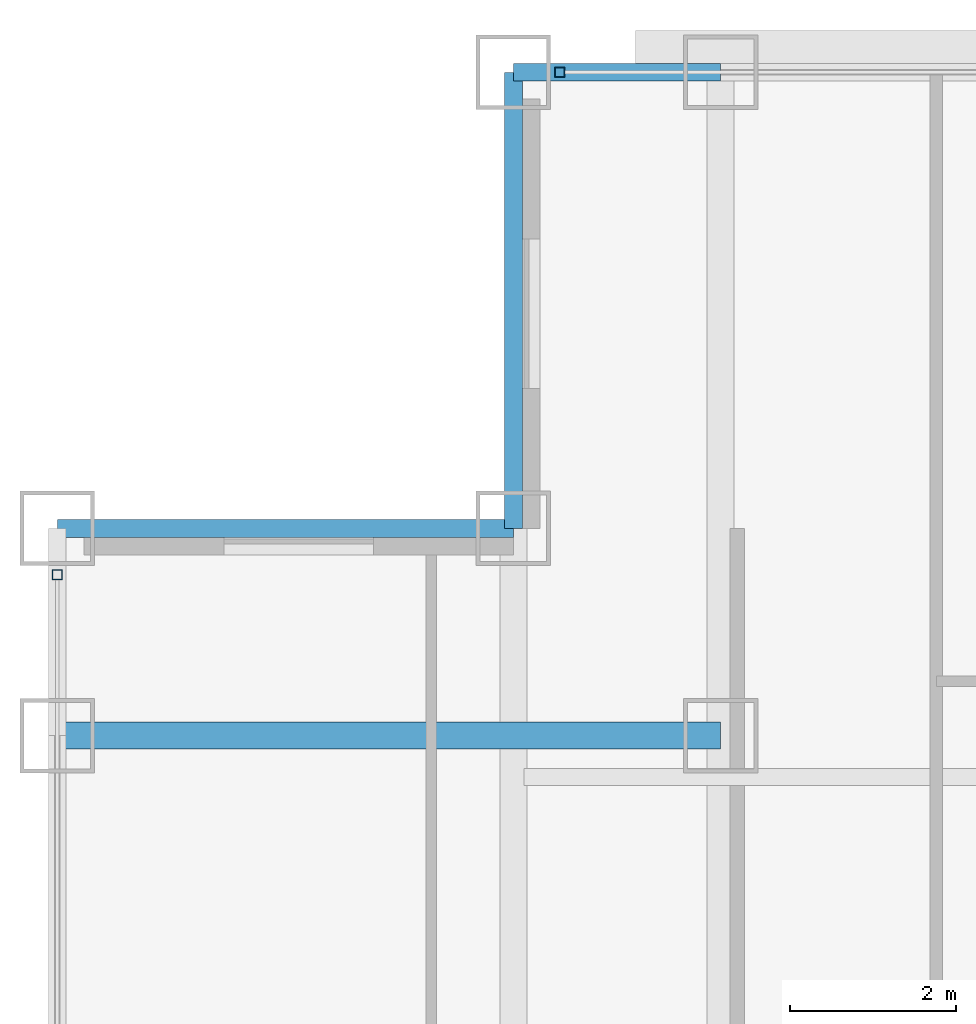
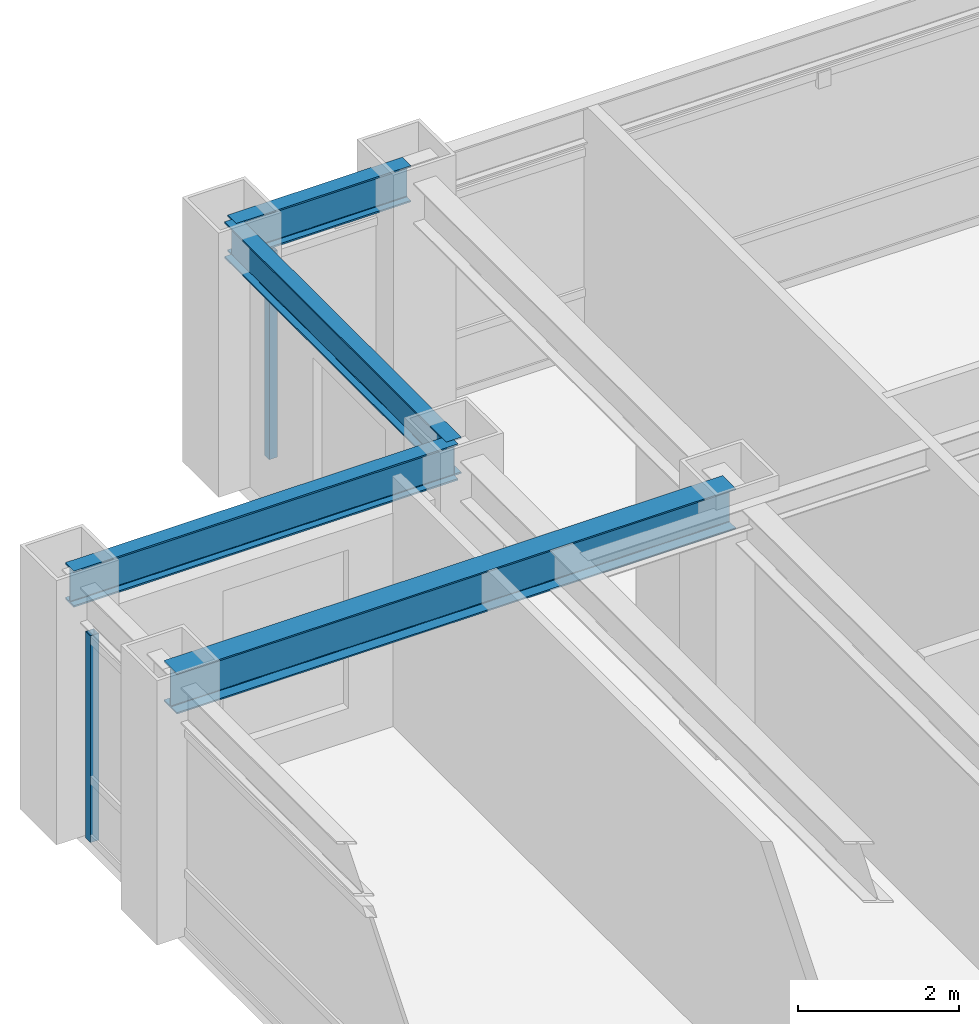
# One storey, part 12 of 27: 4 beams, 2 members, 2 elements without a shape of their own.
"""IFC4 building model written with IfcOpenShell, lengths in metres."""

import ifcopenshell
import ifcopenshell.guid

model = None  # the IFC model being written
_history = None  # IfcOwnerHistory: only IFC2X3 demands one
_inside = {}  # id of a spatial element -> (the spatial element, [elements in it])
_under = {}  # id of a project, library or spatial element -> (it, [spatial elements below it])
_declared = {}  # id of a project -> (the project, [libraries it declares])
_typed = {}  # id of a type object -> (the type object, [elements of that type])
_made_of = {}  # id of a material, layer set ... -> (it, [elements and type objects made of it])


def new_model(schema):
    """Start an empty IFC model of exactly this schema.

    Asked for "IFC4X3", IfcOpenShell would pick the latest addendum, in which some entities
    have other attributes; the version numbers below select the first issue.
    IFC2X3 requires an IfcOwnerHistory on every rooted entity: one is made here for all.
    """
    global model, _history
    if schema == "IFC4X3":
        model = ifcopenshell.file(schema_version=(4, 3, 0, 0))
    else:
        model = ifcopenshell.file(schema=schema)
    _inside.clear()
    _under.clear()
    _declared.clear()
    _typed.clear()
    _made_of.clear()
    _history = None
    if model.schema == "IFC2X3":
        org = make("IfcOrganization", Name="unknown")
        user = make(
            "IfcPersonAndOrganization",
            ThePerson=make("IfcPerson", FamilyName="unknown"),
            TheOrganization=org,
        )
        app = make(
            "IfcApplication",
            ApplicationDeveloper=org,
            Version="unknown",
            ApplicationFullName="unknown",
            ApplicationIdentifier="unknown",
        )
        _history = make(
            "IfcOwnerHistory",
            OwningUser=user,
            OwningApplication=app,
            ChangeAction="ADDED",
            CreationDate=0,
        )
    return model


def make(cls, **values):
    """One entity of the class cls with the attributes given. An attribute that is None is left unset."""
    return model.create_entity(
        cls, **{name: value for name, value in values.items() if value is not None}
    )


def rooted(cls, **values):
    """An entity with a GlobalId (a new one), such as an element, a storey or a relation."""
    return make(cls, GlobalId=ifcopenshell.guid.new(), OwnerHistory=_history, **values)


def si_unit(unit_type, name, prefix=None):
    """IfcSIUnit, for example si_unit("LENGTHUNIT", "METRE", prefix="MILLI")."""
    return make("IfcSIUnit", UnitType=unit_type, Prefix=prefix, Name=name)


def assignment(units):
    """IfcUnitAssignment: the units of a project."""
    return None if units is None else make("IfcUnitAssignment", Units=units)


def point(xyz):
    """IfcCartesianPoint."""
    return None if xyz is None else make("IfcCartesianPoint", Coordinates=xyz)


def direction(xyz):
    """IfcDirection."""
    return None if xyz is None else make("IfcDirection", DirectionRatios=xyz)


def frame(location, z_axis=None, x_axis=None):
    """IfcAxis2Placement3D, a coordinate frame: its origin and axes. An axis left out is left unset."""
    return make(
        "IfcAxis2Placement3D",
        Location=point(location),
        Axis=direction(z_axis),
        RefDirection=direction(x_axis),
    )


def frame_2d(location, x_axis=None):
    """IfcAxis2Placement2D, a coordinate frame in the plane: its origin and x axis."""
    return make(
        "IfcAxis2Placement2D", Location=point(location), RefDirection=direction(x_axis)
    )


def origin():
    """The frame at (0, 0, 0) with its axes left unset."""
    return frame((0.0, 0.0, 0.0))


def origin_2d():
    """The frame at (0, 0) in the plane with its x axis left unset."""
    return frame_2d((0.0, 0.0))


def place(relative_to, where):
    """IfcLocalPlacement: puts the frame where relative to a parent placement (None: the world)."""
    return make(
        "IfcLocalPlacement", PlacementRelTo=relative_to, RelativePlacement=where
    )


def context(
    kind, dimensions, precision=None, world=None, true_north=None, identifier=None
):
    """IfcGeometricRepresentationContext, for example the 3D "Model" context."""
    return make(
        "IfcGeometricRepresentationContext",
        ContextIdentifier=identifier,
        ContextType=kind,
        CoordinateSpaceDimension=dimensions,
        Precision=precision,
        WorldCoordinateSystem=world,
        TrueNorth=true_north,
    )


def subcontext(parent, identifier, kind, view, scale=None):
    """IfcGeometricRepresentationSubContext, for example "Body" below "Model"."""
    return make(
        "IfcGeometricRepresentationSubContext",
        ContextIdentifier=identifier,
        ContextType=kind,
        ParentContext=parent,
        TargetScale=scale,
        TargetView=view,
    )


def project(units=None, contexts=None):
    """IfcProject with its units and contexts."""
    return rooted(
        "IfcProject",
        Name="project",
        RepresentationContexts=contexts,
        UnitsInContext=assignment(units),
    )


def spatial(cls, under=None, at=None, **own):
    """A site, building, storey or space (cls), placed at a placement, below another one or the project."""
    s = rooted(cls, ObjectPlacement=at, **own)
    if under is not None:
        _under.setdefault(under.id(), (under, []))[1].append(s)
    return s


def profile(cls, at=None, kind="AREA", **sizes):
    """A parametric profile (cls). Its sizes go by their IFC names, for example OverallWidth=200.0."""
    return make(cls, ProfileType=kind, Position=at, **sizes)


def hollow_rectangle(**sizes):
    """IfcRectangleHollowProfileDef."""
    return profile("IfcRectangleHollowProfileDef", **sizes)


def i_section(**sizes):
    """IfcIShapeProfileDef."""
    return profile("IfcIShapeProfileDef", **sizes)


def extrude(swept, where, along, depth):
    """IfcExtrudedAreaSolid: the profile swept, set in the frame where, extruded along a direction by depth."""
    return make(
        "IfcExtrudedAreaSolid",
        SweptArea=swept,
        Position=where,
        ExtrudedDirection=direction(along),
        Depth=depth,
    )


def shape(context_of_items, identifier, shape_type, items):
    """IfcShapeRepresentation: the items that make up one representation, for example the "Body"."""
    return make(
        "IfcShapeRepresentation",
        ContextOfItems=context_of_items,
        RepresentationIdentifier=identifier,
        RepresentationType=shape_type,
        Items=items,
    )


def source(mapping_origin, context_of_items, identifier, shape_type, items):
    """IfcRepresentationMap: a shape defined once, which mapped items show again and again."""
    return make(
        "IfcRepresentationMap",
        MappingOrigin=mapping_origin,
        MappedRepresentation=shape(context_of_items, identifier, shape_type, items),
    )


def transform(
    local_origin,
    x_axis=None,
    y_axis=None,
    z_axis=None,
    scale=None,
    scale2=None,
    scale3=None,
    uniform=True,
):
    """IfcCartesianTransformationOperator3D, or its non-uniform kind. x_axis, y_axis, z_axis: its Axis1, 2, 3."""
    if uniform:
        return make(
            "IfcCartesianTransformationOperator3D",
            Axis1=direction(x_axis),
            Axis2=direction(y_axis),
            LocalOrigin=point(local_origin),
            Scale=scale,
            Axis3=direction(z_axis),
        )
    return make(
        "IfcCartesianTransformationOperator3DnonUniform",
        Axis1=direction(x_axis),
        Axis2=direction(y_axis),
        LocalOrigin=point(local_origin),
        Scale=scale,
        Axis3=direction(z_axis),
        Scale2=scale2,
        Scale3=scale3,
    )


def mapped(mapping_source, mapping_target):
    """IfcMappedItem: shows the shape of a source again, moved by a transform."""
    return make(
        "IfcMappedItem", MappingSource=mapping_source, MappingTarget=mapping_target
    )


def material(Name=None, Category=None):
    """IfcMaterial."""
    return make("IfcMaterial", Name=Name, Category=Category)


def material_profile(
    of_material, cross_section, Name=None, Category=None, Priority=None
):
    """IfcMaterialProfile: a cross section and its material."""
    return make(
        "IfcMaterialProfile",
        Name=Name,
        Material=of_material,
        Profile=cross_section,
        Priority=Priority,
        Category=Category,
    )


def profile_set(profiles, Name=None, composite=None):
    """IfcMaterialProfileSet."""
    return make(
        "IfcMaterialProfileSet",
        Name=Name,
        MaterialProfiles=profiles,
        CompositeProfile=composite,
    )


def made_of(thing, what):
    """Note that an element or type object is made of a material, layer set ...; save() writes the relation."""
    if what is not None:
        _made_of.setdefault(what.id(), (what, []))[1].append(thing)
    return thing


def type_object(cls, material=None, **own):
    """A type object (cls), such as IfcWallType, which elements share."""
    return made_of(rooted(cls, **own), material)


def element(
    cls,
    number,
    at=None,
    inside=None,
    cuts=None,
    type_object=None,
    material=None,
    context=None,
    identifier="Body",
    shape_type=None,
    held_by="IfcProductDefinitionShape",
    body=None,
    shapes=None,
    **own,
):
    """One element of the class cls, such as IfcWall. Its Tag is "e" and its number.

    at: its placement. inside: the storey or other place that contains it. cuts: it is an
    opening in that element (IfcRelVoidsElement). A single representation is given by context,
    identifier, shape_type and body (its items); several are given by shapes. held_by: the class
    of the entity that holds the representations. save() writes the other relations.
    """
    e = rooted(cls, Tag="e%d" % number, ObjectPlacement=at, **own)
    if body is not None:
        shapes = [shape(context, identifier, shape_type, body)]
    if shapes is not None:
        e.Representation = make(held_by, Representations=shapes)
    if inside is not None:
        _inside.setdefault(inside.id(), (inside, []))[1].append(e)
    if cuts is not None:
        rooted(
            "IfcRelVoidsElement", RelatingBuildingElement=cuts, RelatedOpeningElement=e
        )
    if type_object is not None:
        _typed.setdefault(type_object.id(), (type_object, []))[1].append(e)
    return made_of(e, material)


def aggregate(whole, parts):
    """IfcRelAggregates: a whole, such as a stair, and the parts it consists of."""
    return rooted("IfcRelAggregates", RelatingObject=whole, RelatedObjects=parts)


def save(model, path):
    """Write the relations noted so far, then the file.

    IfcRelAggregates (storeys below a building ...), IfcRelContainedInSpatialStructure (elements
    in a storey), IfcRelDefinesByType, IfcRelAssociatesMaterial and IfcRelDeclares: one each for
    every whole, place, type object, material and project.
    """
    for whole, parts in _under.values():
        aggregate(whole, parts)
    for where, things in _inside.values():
        rooted(
            "IfcRelContainedInSpatialStructure",
            RelatedElements=things,
            RelatingStructure=where,
        )
    for kind, things in _typed.values():
        rooted("IfcRelDefinesByType", RelatedObjects=things, RelatingType=kind)
    for what, things in _made_of.values():
        rooted("IfcRelAssociatesMaterial", RelatedObjects=things, RelatingMaterial=what)
    for by, libraries in _declared.values():
        rooted("IfcRelDeclares", RelatingContext=by, RelatedDefinitions=libraries)
    model.write(path)


model = new_model("IFC4")

# Units and contexts
model_context = context("Model", 3, precision=1e-05, world=origin(), true_north=direction((0.0, 1.0)))
body_context = subcontext(model_context, "Body", "Model", "MODEL_VIEW")
ifc_project = project(units=[si_unit("LENGTHUNIT", "METRE"), si_unit("AREAUNIT", "SQUARE_METRE"), si_unit("VOLUMEUNIT", "CUBIC_METRE"), si_unit("PLANEANGLEUNIT", "RADIAN"), si_unit("MASSUNIT", "GRAM", prefix="KILO")], contexts=[model_context])

# Site, building, storey
site_placement = place(None, origin())
site = spatial("IfcSite", under=ifc_project, at=site_placement, CompositionType="ELEMENT")
building_placement = place(site_placement, origin())
building = spatial("IfcBuilding", under=site, at=building_placement, Name="Khorayat Bourse Tower", CompositionType="ELEMENT")
storey_placement = place(building_placement, frame((0.0, 0.0, 285.5)))
storey = spatial("IfcBuildingStorey", under=building, at=storey_placement, Name="L67", CompositionType="ELEMENT", Elevation=285.5)

# Beams
ifc_material_1 = material(Name="Steel ASTM A992 Grade 50", Category="steel")
ifc_material_profile_1 = material_profile(ifc_material_1, i_section(OverallWidth=0.324951171875, OverallDepth=0.615966796875, WebThickness=0.013916015625, FlangeThickness=0.021484375, FilletRadius=0.01611328125, at=origin_2d()), Name="W610X174")
ifc_profile_set_1 = profile_set([ifc_material_profile_1], Name="Steel ASTM A992 Grade 50")
beam_type_1 = type_object("IfcBeamType", Name="BM-GIRD-610", PredefinedType="BEAM", material=ifc_profile_set_1)
shared_shape_1 = source(origin(), body_context, "Body", "SweptSolid", [
    extrude(i_section(OverallWidth=0.324951171875, OverallDepth=0.615966796875, WebThickness=0.013916015625, FlangeThickness=0.021484375, FilletRadius=0.01611328125, at=origin_2d()), origin(), (0.0, 0.0, 1.0), 8.0),
])
beam_1_placement = place(storey_placement, frame((-28.0, 20.0, 3.471923828125), z_axis=(1.0, 0.0, 0.0), x_axis=(0.0, 1.0, 0.0)))
element("IfcBeam", 1, at=beam_1_placement, inside=storey, type_object=beam_type_1, Name="L67 BM-GIRD-610 BM-L67-CNRX-095", PredefinedType="BEAM", context=body_context, shape_type="MappedRepresentation", body=[
    mapped(shared_shape_1, transform((0.0, 0.0, 0.0), scale=1.0)),
])
ifc_material_profile_2 = material_profile(ifc_material_1, i_section(OverallWidth=0.214111328125, OverallDepth=0.549072265625, WebThickness=0.0146484375, FlangeThickness=0.023681640625, FilletRadius=0.013916015625, at=origin_2d()), Name="W530X138")
ifc_profile_set_2 = profile_set([ifc_material_profile_2], Name="Steel ASTM A992 Grade 50")
beam_type_2 = type_object("IfcBeamType", Name="BM-SPAN-530", PredefinedType="SPANDREL", material=ifc_profile_set_2)
shared_shape_2 = source(origin(), body_context, "Body", "SweptSolid", [
    extrude(i_section(OverallWidth=0.214111328125, OverallDepth=0.549072265625, WebThickness=0.0146484375, FlangeThickness=0.023681640625, FilletRadius=0.013916015625, at=origin_2d()), origin(), (0.0, 0.0, 1.0), 2.5),
])
beam_2_placement = place(storey_placement, frame((-22.5, 28.0, 3.505615234375), z_axis=(1.0, 0.0, 0.0), x_axis=(0.0, 1.0, 0.0)))
element("IfcBeam", 2, at=beam_2_placement, inside=storey, type_object=beam_type_2, Name="L67 BM-SPAN-530 BM-L67-SPN-051", PredefinedType="SPANDREL", context=body_context, shape_type="MappedRepresentation", body=[
    mapped(shared_shape_2, transform((0.0, 0.0, 0.0), scale=1.0)),
])
shared_shape_3 = source(origin(), body_context, "Body", "SweptSolid", [
    extrude(i_section(OverallWidth=0.214111328125, OverallDepth=0.549072265625, WebThickness=0.0146484375, FlangeThickness=0.023681640625, FilletRadius=0.013916015625, at=origin_2d()), origin(), (0.0, 0.0, 1.0), 5.5),
])
for number, where, z_axis, x_axis, name in (
    (3, (-22.5, 22.5, 3.505615234375), (0.0, 1.0, 0.0), (-1.0, 0.0, 0.0), "L67 BM-SPAN-530 BM-L67-SPN-052"),
    (4, (-28.0, 22.5, 3.505615234375), (1.0, 0.0, 0.0), (0.0, 1.0, 0.0), "L67 BM-SPAN-530 BM-L67-SPN-053"),
):
    element("IfcBeam", number, at=place(storey_placement, frame(where, z_axis=z_axis, x_axis=x_axis)), inside=storey, type_object=beam_type_2, Name=name, PredefinedType="SPANDREL", context=body_context, shape_type="MappedRepresentation", body=[
        mapped(shared_shape_3, transform((0.0, 0.0, 0.0), scale=1.0)),
    ])

# Curtain wall, member
ifc_material_2 = material(Name="Aluminium EN AW-6063 T6", Category="aluminium")
curtain_wall_type = type_object("IfcCurtainWallType", Name="CW-SYS-04", PredefinedType="NOTDEFINED", material=ifc_material_2)
curtain_wall_1_placement = place(storey_placement, origin())
curtain_wall_1 = element("IfcCurtainWall", 5, at=curtain_wall_1_placement, inside=storey, type_object=curtain_wall_type, Name="L67 Curtain Wall CW-L67-N1", PredefinedType="NOTDEFINED")
ifc_material_profile_3 = material_profile(ifc_material_2, hollow_rectangle(XDim=0.1201171875, YDim=0.1201171875, WallThickness=0.0048828125, at=origin_2d()), Name="ALU 120x120x5")
ifc_profile_set_3 = profile_set([ifc_material_profile_3], Name="Aluminium EN AW-6063 T6")
member_type = type_object("IfcMemberType", Name="CWM-VERT-120", PredefinedType="MULLION", material=ifc_profile_set_3)
shared_shape_4 = source(origin(), body_context, "Body", "SweptSolid", [
    extrude(hollow_rectangle(XDim=0.1201171875, YDim=0.1201171875, WallThickness=0.0048828125, at=origin_2d()), origin(), (0.0, 0.0, 1.0), 3.1298828125),
])
member_1_placement = place(storey_placement, frame((-21.93994140625, 28.0, 0.0), z_axis=(0.0, 0.0, 1.0), x_axis=(0.0, 1.0, 0.0)))
member_1 = element("IfcMember", 6, at=member_1_placement, type_object=member_type, Name="CW-L67-N1 Vertical Mullion 1", PredefinedType="MULLION", context=body_context, shape_type="MappedRepresentation", body=[
    mapped(shared_shape_4, transform((0.0, 0.0, 0.0), scale=1.0)),
])
aggregate(curtain_wall_1, [member_1])

curtain_wall_2_placement = place(storey_placement, origin())
curtain_wall_2 = element("IfcCurtainWall", 7, at=curtain_wall_2_placement, inside=storey, type_object=curtain_wall_type, Name="L67 Curtain Wall CW-L67-W1", PredefinedType="NOTDEFINED")
member_2_placement = place(storey_placement, frame((-28.0, 21.93994140625, 0.0), z_axis=(0.0, 0.0, 1.0), x_axis=(-1.0, 0.0, 0.0)))
member_2 = element("IfcMember", 8, at=member_2_placement, type_object=member_type, Name="CW-L67-W1 Vertical Mullion 3", PredefinedType="MULLION", context=body_context, shape_type="MappedRepresentation", body=[
    mapped(shared_shape_4, transform((0.0, 0.0, 0.0), scale=1.0)),
])
aggregate(curtain_wall_2, [member_2])

save(model, "model.ifc")
